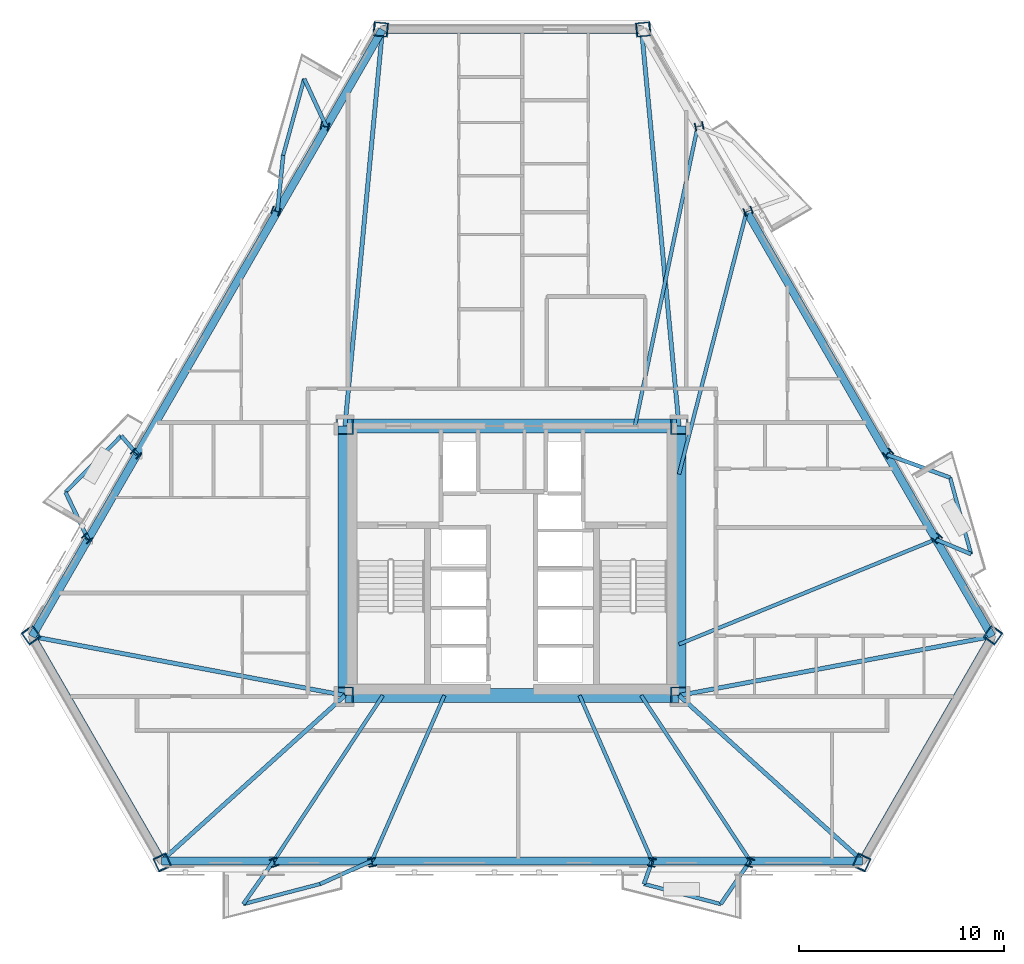
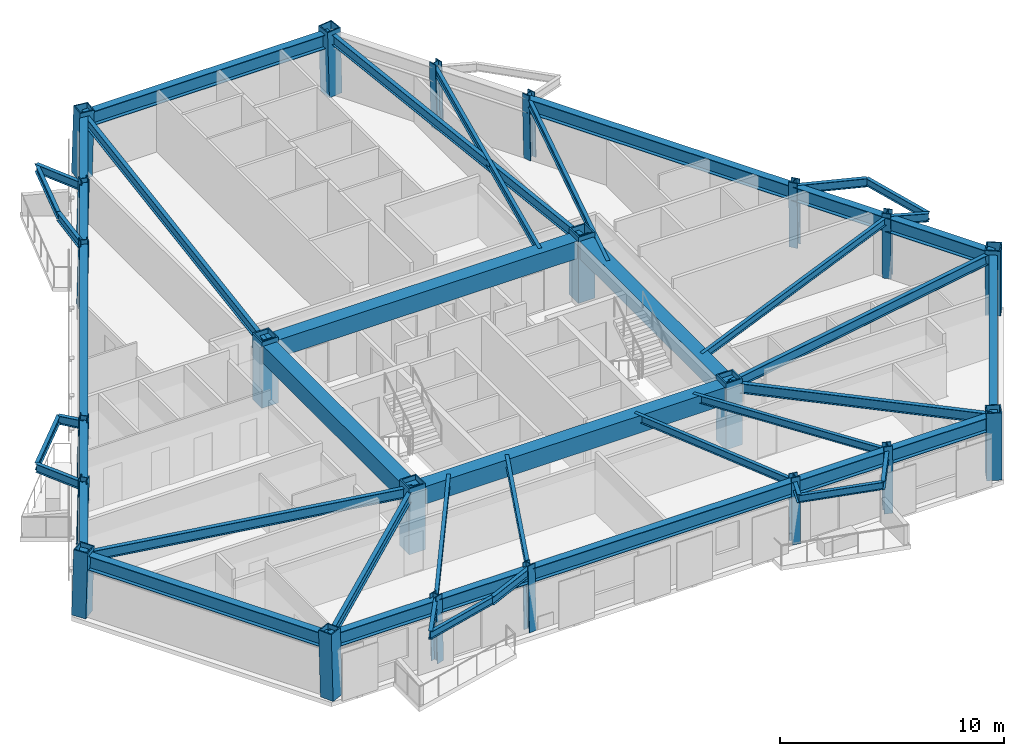
# One storey, part 1 of 11: 48 beams, 22 columns.
"""IFC4 building model written with IfcOpenShell, lengths in metres."""

from ifc_helpers import new_model, si_unit, direction, frame, origin, origin_2d, place, context, subcontext, project, spatial, rectangle, hollow_rectangle, i_section, extrude, material, material_profile, profile_set, type_object, element, save


model = new_model("IFC4")

# Units and contexts
model_context = context("Model", 3, precision=1e-05, world=origin(), true_north=direction((0.0, 1.0)))
body_context = subcontext(model_context, "Body", "Model", "MODEL_VIEW")
ifc_project = project(units=[si_unit("LENGTHUNIT", "METRE"), si_unit("AREAUNIT", "SQUARE_METRE"), si_unit("VOLUMEUNIT", "CUBIC_METRE"), si_unit("PLANEANGLEUNIT", "RADIAN"), si_unit("MASSUNIT", "GRAM", prefix="KILO")], contexts=[model_context])

# Site, building, storey
site_placement = place(None, origin())
site = spatial("IfcSite", under=ifc_project, at=site_placement, CompositionType="ELEMENT")
building_placement = place(site_placement, origin())
building = spatial("IfcBuilding", under=site, at=building_placement, Name="Oramaril Tower", CompositionType="ELEMENT")
storey_placement = place(building_placement, frame((0.0, 0.0, 82.5)))
storey = spatial("IfcBuildingStorey", under=building, at=storey_placement, Name="L21", CompositionType="ELEMENT", Elevation=82.5)

# Columns
ifc_material_1 = material(Name="Steel ASTM A572 Gr 50", Category="steel")
ifc_material_profile_1 = material_profile(ifc_material_1, hollow_rectangle(XDim=0.85009765625, YDim=0.85009765625, WallThickness=0.070068359375, at=origin_2d()), Name="BOX850X850X70")
ifc_profile_set_1 = profile_set([ifc_material_profile_1], Name="Steel ASTM A572 Gr 50")
column_type_1 = type_object("IfcColumnType", Name="CT-CC3", PredefinedType="COLUMN", material=ifc_profile_set_1)
for number, where, z_axis, x_axis, name in (
    (1, (29.35009765625, 11.0, 0.0), (0.0, 0.0, 1.0), (1.0, 0.0, 0.0), "L21 Core Column CC-1"),
    (2, (45.64990234375, 11.0, 0.0), (0.0, 0.0, 1.0), (1.0, 0.0, 0.0), "L21 Core Column CC-2"),
    (3, (45.64990234375, 24.14990234375, 0.0), (0.0, 0.0, 1.0), (1.0, 0.0, 0.0), "L21 Core Column CC-3"),
    (4, (29.35009765625, 24.14990234375, 0.0), (0.0, 0.0, 1.0), (1.0, 0.0, 0.0), "L21 Core Column CC-4"),
):
    element("IfcColumn", number, at=place(storey_placement, frame(where, z_axis=z_axis, x_axis=x_axis)), inside=storey, type_object=column_type_1, Name=name, PredefinedType="COLUMN", context=body_context, shape_type="SweptSolid", body=[
        extrude(hollow_rectangle(XDim=0.85009765625, YDim=0.85009765625, WallThickness=0.070068359375, at=origin_2d()), origin(), (0.0, 0.0, 1.0), 3.60009765625),
    ])
ifc_material_2 = material(Name="Steel ASTM A572 Gr 50", Category="steel")
ifc_material_profile_2 = material_profile(ifc_material_2, hollow_rectangle(XDim=0.699951171875, YDim=0.699951171875, WallThickness=0.054931640625, at=origin_2d()), Name="BOX700X700X55")
ifc_profile_set_2 = profile_set([ifc_material_profile_2], Name="Steel ASTM A572 Gr 50")
column_type_2 = type_object("IfcColumnType", Name="CT-TC4", PredefinedType="COLUMN", material=ifc_profile_set_2)
for number, where, z_axis, x_axis, name in (
    (5, (14.024658203125, 13.9609375, 0.00439453125), (0.016174283777, -0.022698364628, 0.999611512933), (0.814391947987, 0.580315220422, 0.0), "L21 Tube Column TC-01"),
    (6, (20.44580078125, 2.839111328125, 0.00439453125), (-0.011620994408, 0.025416677829, 0.999609396203), (-0.909448203092, -0.415817226547, 0.0), "L21 Tube Column TC-02"),
    (7, (54.55419921875, 2.839111328125, 0.00439453125), (0.011620994408, 0.025416677829, 0.999609396203), (-0.909448203092, 0.415817226547, 0.0), "L21 Tube Column TC-03"),
    (8, (60.975341796875, 13.9609375, 0.00439453125), (-0.016174283777, -0.022698364628, 0.999611512933), (0.814391947987, -0.580315220422, 0.0), "L21 Tube Column TC-04"),
    (9, (43.921142578125, 43.499755859375, 0.00439453125), (-0.027795269096, -0.002582445539, 0.999610301063), (0.092511107085, -0.995711652571, 0.0), "L21 Tube Column TC-05"),
    (10, (31.078857421875, 43.499755859375, 0.00439453125), (0.027795269096, -0.002582445539, 0.999610301063), (0.092511107085, 0.995711652571, 0.0), "L21 Tube Column TC-06"),
):
    element("IfcColumn", number, at=place(storey_placement, frame(where, z_axis=z_axis, x_axis=x_axis)), inside=storey, type_object=column_type_2, Name=name, PredefinedType="COLUMN", context=body_context, shape_type="SweptSolid", body=[
        extrude(hollow_rectangle(XDim=0.699951171875, YDim=0.699951171875, WallThickness=0.054931640625, at=origin_2d()), origin(), (0.0, 0.0, 1.0), 3.592529296875),
    ])
ifc_material_3 = material(Name="Steel ASTM A572 Gr 50", Category="steel")
ifc_material_profile_3 = material_profile(ifc_material_3, i_section(OverallWidth=0.404052734375, OverallDepth=0.406005859375, WebThickness=0.027099609375, FlangeThickness=0.043701171875, at=origin_2d()), Name="W14X233")
ifc_profile_set_3 = profile_set([ifc_material_profile_3], Name="Steel ASTM A572 Gr 50")
column_type_3 = type_object("IfcColumnType", Name="CT-TF3", PredefinedType="COLUMN", material=ifc_profile_set_3)
for number, where, z_axis, x_axis, name in (
    (11, (25.903076171875, 2.839111328125, 0.00439453125), (-0.007883535036, 0.025417604341, 0.999645834916), (-0.95511398019, -0.296238560701, 0.0), "L21 Tube Column TC-07"),
    (12, (30.67822265625, 2.839111328125, 0.00439453125), (-0.00462147687, 0.025418122787, 0.99966622479), (-0.9838699101, -0.1788854382, 0.0), "L21 Tube Column TC-08"),
    (13, (44.32177734375, 2.839111328125, 0.00439453125), (0.00462147687, 0.025418122787, 0.99966622479), (-0.9838699101, 0.1788854382, 0.0), "L21 Tube Column TC-09"),
    (14, (49.096923828125, 2.839111328125, 0.00439453125), (0.007883535036, 0.025417604341, 0.999645834916), (-0.95511398019, 0.296238560701, 0.0), "L21 Tube Column TC-10"),
    (15, (58.24658203125, 18.687255859375, 0.00439453125), (-0.018009830562, -0.019504986307, 0.999647538642), (0.734705291935, -0.678386419383, 0.0), "L21 Tube Column TC-11"),
    (16, (55.85888671875, 22.822509765625, 0.00439453125), (-0.019573383012, -0.016650968187, 0.999669759439), (0.647955446291, -0.761678238905, 0.0), "L21 Tube Column TC-12"),
    (17, (49.037353515625, 34.63818359375, 0.00439453125), (-0.024262805233, -0.008631306063, 0.999668353424), (0.335165857119, -0.942159141664, 0.0), "L21 Tube Column TC-13"),
    (18, (46.64990234375, 38.7734375, 0.00439453125), (-0.025961307385, -0.005776730701, 0.999646257384), (0.2172010113, -0.976126897842, 0.0), "L21 Tube Column TC-14"),
    (19, (28.35009765625, 38.7734375, 0.00439453125), (0.025961307385, -0.005776730701, 0.999646257384), (0.2172010113, 0.976126897842, 0.0), "L21 Tube Column TC-15"),
    (20, (25.962646484375, 34.63818359375, 0.00439453125), (0.024262805233, -0.008631306063, 0.999668353424), (0.335165857119, 0.942159141664, 0.0), "L21 Tube Column TC-16"),
    (21, (19.14111328125, 22.822509765625, 0.00439453125), (0.019573383012, -0.016650968187, 0.999669759439), (0.647955446291, 0.761678238905, 0.0), "L21 Tube Column TC-17"),
    (22, (16.75341796875, 18.687255859375, 0.00439453125), (0.018009830562, -0.019504986307, 0.999647538642), (0.734705291935, 0.678386419383, 0.0), "L21 Tube Column TC-18"),
):
    element("IfcColumn", number, at=place(storey_placement, frame(where, z_axis=z_axis, x_axis=x_axis)), inside=storey, type_object=column_type_3, Name=name, PredefinedType="COLUMN", context=body_context, shape_type="SweptSolid", body=[
        extrude(i_section(OverallWidth=0.404052734375, OverallDepth=0.406005859375, WebThickness=0.027099609375, FlangeThickness=0.043701171875, at=origin_2d()), origin(), (0.0, 0.0, 1.0), 3.59228515625),
    ])

# Beams
ifc_material_4 = material(Name="Steel ASTM A572 Gr 50", Category="steel")
ifc_material_profile_4 = material_profile(ifc_material_4, i_section(OverallWidth=0.19091796875, OverallDepth=0.45703125, WebThickness=0.009033203125, FlangeThickness=0.014404296875, at=origin_2d()), Name="W18X50")
ifc_profile_set_4 = profile_set([ifc_material_profile_4], Name="Steel ASTM A572 Gr 50")
beam_type_1 = type_object("IfcBeamType", Name="BT-BB1", PredefinedType="BEAM", material=ifc_profile_set_4)
beam_1_placement = place(storey_placement, frame((25.874755859375, 2.930419921875, 3.131591796875), z_axis=(-0.575507483466, -0.817796512878, 0.0), x_axis=(0.817796512878, -0.575507483466, 0.0)))
element("IfcBeam", 23, at=beam_1_placement, inside=storey, type_object=beam_type_1, Name="L21 Balcony Column-Framed Cantilever 01.1", PredefinedType="BEAM", context=body_context, shape_type="SweptSolid", body=[
    extrude(i_section(OverallWidth=0.19091796875, OverallDepth=0.45703125, WebThickness=0.009033203125, FlangeThickness=0.014404296875, at=origin_2d()), origin(), (0.0, 0.0, 1.0), 2.57763671875),
])
beam_2_placement = place(storey_placement, frame((30.66162109375, 2.930419921875, 3.131591796875), z_axis=(-0.913111483282, -0.40770996934, 0.0), x_axis=(0.40770996934, -0.913111483282, 0.0)))
element("IfcBeam", 24, at=beam_2_placement, inside=storey, type_object=beam_type_1, Name="L21 Balcony Column-Framed Cantilever 01.2", PredefinedType="BEAM", context=body_context, shape_type="SweptSolid", body=[
    extrude(i_section(OverallWidth=0.19091796875, OverallDepth=0.45703125, WebThickness=0.009033203125, FlangeThickness=0.014404296875, at=origin_2d()), origin(), (0.0, 0.0, 1.0), 2.7666015625),
])
beam_3_placement = place(storey_placement, frame((44.33837890625, 2.930419921875, 3.131591796875), z_axis=(-0.333257748572, -0.942835761422, 0.0), x_axis=(0.942835761422, -0.333257748572, 0.0)))
element("IfcBeam", 25, at=beam_3_placement, inside=storey, type_object=beam_type_1, Name="L21 Balcony Column-Framed Cantilever 02.1", PredefinedType="BEAM", context=body_context, shape_type="SweptSolid", body=[
    extrude(i_section(OverallWidth=0.19091796875, OverallDepth=0.45703125, WebThickness=0.009033203125, FlangeThickness=0.014404296875, at=origin_2d()), origin(), (0.0, 0.0, 1.0), 1.1962890625),
])
beam_4_placement = place(storey_placement, frame((49.125244140625, 2.930419921875, 3.131591796875), z_axis=(-0.564522826478, -0.825417457039, 0.0), x_axis=(0.825417457039, -0.564522826478, 0.0)))
element("IfcBeam", 26, at=beam_4_placement, inside=storey, type_object=beam_type_1, Name="L21 Balcony Column-Framed Cantilever 02.2", PredefinedType="BEAM", context=body_context, shape_type="SweptSolid", body=[
    extrude(i_section(OverallWidth=0.19091796875, OverallDepth=0.45703125, WebThickness=0.009033203125, FlangeThickness=0.014404296875, at=origin_2d()), origin(), (0.0, 0.0, 1.0), 2.5537109375),
])
beam_5_placement = place(storey_placement, frame((58.181884765625, 18.6171875, 3.131591796875), z_axis=(0.922186845619, -0.386744646721, 0.0), x_axis=(0.386744646721, 0.922186845619, 0.0)))
element("IfcBeam", 27, at=beam_5_placement, inside=storey, type_object=beam_type_1, Name="L21 Balcony Column-Framed Cantilever 03.1", PredefinedType="BEAM", context=body_context, shape_type="SweptSolid", body=[
    extrude(i_section(OverallWidth=0.19091796875, OverallDepth=0.45703125, WebThickness=0.009033203125, FlangeThickness=0.014404296875, at=origin_2d()), origin(), (0.0, 0.0, 1.0), 1.863525390625),
])
beam_6_placement = place(storey_placement, frame((55.78857421875, 22.7626953125, 3.131591796875), z_axis=(0.938749139237, -0.344601296547, 0.0), x_axis=(0.344601296547, 0.938749139237, 0.0)))
element("IfcBeam", 28, at=beam_6_placement, inside=storey, type_object=beam_type_1, Name="L21 Balcony Column-Framed Cantilever 03.2", PredefinedType="BEAM", context=body_context, shape_type="SweptSolid", body=[
    extrude(i_section(OverallWidth=0.19091796875, OverallDepth=0.45703125, WebThickness=0.009033203125, FlangeThickness=0.014404296875, at=origin_2d()), origin(), (0.0, 0.0, 1.0), 3.2900390625),
])
beam_7_placement = place(storey_placement, frame((28.443359375, 38.752685546875, 3.131591796875), z_axis=(-0.420535178614, 0.90727623332, 0.0), x_axis=(-0.90727623332, -0.420535178614, 0.0)))
element("IfcBeam", 29, at=beam_7_placement, inside=storey, type_object=beam_type_1, Name="L21 Balcony Column-Framed Cantilever 05.1", PredefinedType="BEAM", context=body_context, shape_type="SweptSolid", body=[
    extrude(i_section(OverallWidth=0.19091796875, OverallDepth=0.45703125, WebThickness=0.009033203125, FlangeThickness=0.014404296875, at=origin_2d()), origin(), (0.0, 0.0, 1.0), 2.57763671875),
])
beam_8_placement = place(storey_placement, frame((26.0498046875, 34.607177734375, 3.131591796875), z_axis=(0.103513328199, 0.994628066608, 0.0), x_axis=(-0.994628066608, 0.103513328199, 0.0)))
element("IfcBeam", 30, at=beam_8_placement, inside=storey, type_object=beam_type_1, Name="L21 Balcony Column-Framed Cantilever 05.2", PredefinedType="BEAM", context=body_context, shape_type="SweptSolid", body=[
    extrude(i_section(OverallWidth=0.19091796875, OverallDepth=0.45703125, WebThickness=0.009033203125, FlangeThickness=0.014404296875, at=origin_2d()), origin(), (0.0, 0.0, 1.0), 2.7666015625),
])
beam_9_placement = place(storey_placement, frame((19.21142578125, 22.7626953125, 3.131591796875), z_axis=(-0.649748819374, 0.760148979952, 0.0), x_axis=(-0.760148979952, -0.649748819374, 0.0)))
element("IfcBeam", 31, at=beam_9_placement, inside=storey, type_object=beam_type_1, Name="L21 Balcony Column-Framed Cantilever 06.1", PredefinedType="BEAM", context=body_context, shape_type="SweptSolid", body=[
    extrude(i_section(OverallWidth=0.19091796875, OverallDepth=0.45703125, WebThickness=0.009033203125, FlangeThickness=0.014404296875, at=origin_2d()), origin(), (0.0, 0.0, 1.0), 1.1962890625),
])
beam_10_placement = place(storey_placement, frame((16.818115234375, 18.6171875, 3.131591796875), z_axis=(-0.432584990774, 0.901593159777, 0.0), x_axis=(-0.901593159777, -0.432584990774, 0.0)))
element("IfcBeam", 32, at=beam_10_placement, inside=storey, type_object=beam_type_1, Name="L21 Balcony Column-Framed Cantilever 06.2", PredefinedType="BEAM", context=body_context, shape_type="SweptSolid", body=[
    extrude(i_section(OverallWidth=0.19091796875, OverallDepth=0.45703125, WebThickness=0.009033203125, FlangeThickness=0.014404296875, at=origin_2d()), origin(), (0.0, 0.0, 1.0), 2.5537109375),
])
ifc_material_5 = material(Name="Concrete C50/60", Category="concrete")
ifc_material_profile_5 = material_profile(ifc_material_5, rectangle(XDim=0.699951171875, YDim=0.949951171875, at=origin_2d()), Name="CB700X950")
ifc_profile_set_5 = profile_set([ifc_material_profile_5], Name="Concrete C50/60")
beam_type_2 = type_object("IfcBeamType", Name="BT-CB1", PredefinedType="BEAM", material=ifc_profile_set_5)
beam_11_placement = place(storey_placement, frame((29.35009765625, 11.0, 2.885009765625), z_axis=(1.0, 0.0, 0.0), x_axis=(0.0, 1.0, 0.0)))
element("IfcBeam", 33, at=beam_11_placement, inside=storey, type_object=beam_type_2, Name="L21 Core Header Beam CB-1", PredefinedType="BEAM", context=body_context, shape_type="SweptSolid", body=[
    extrude(rectangle(XDim=0.699951171875, YDim=0.949951171875, at=origin_2d()), origin(), (0.0, 0.0, 1.0), 16.2998046875),
])
beam_12_placement = place(storey_placement, frame((45.64990234375, 11.0, 2.885009765625), z_axis=(0.0, 1.0, 0.0), x_axis=(-1.0, 0.0, 0.0)))
element("IfcBeam", 34, at=beam_12_placement, inside=storey, type_object=beam_type_2, Name="L21 Core Header Beam CB-2", PredefinedType="BEAM", context=body_context, shape_type="SweptSolid", body=[
    extrude(rectangle(XDim=0.699951171875, YDim=0.949951171875, at=origin_2d()), origin(), (0.0, 0.0, 1.0), 13.14990234375),
])
beam_13_placement = place(storey_placement, frame((45.64990234375, 24.14990234375, 2.885009765625), z_axis=(-1.0, 0.0, 0.0), x_axis=(0.0, -1.0, 0.0)))
element("IfcBeam", 35, at=beam_13_placement, inside=storey, type_object=beam_type_2, Name="L21 Core Header Beam CB-3", PredefinedType="BEAM", context=body_context, shape_type="SweptSolid", body=[
    extrude(rectangle(XDim=0.699951171875, YDim=0.949951171875, at=origin_2d()), origin(), (0.0, 0.0, 1.0), 16.2998046875),
])
beam_14_placement = place(storey_placement, frame((29.35009765625, 24.14990234375, 2.885009765625), z_axis=(0.0, -1.0, 0.0), x_axis=(1.0, 0.0, 0.0)))
element("IfcBeam", 36, at=beam_14_placement, inside=storey, type_object=beam_type_2, Name="L21 Core Header Beam CB-4", PredefinedType="BEAM", context=body_context, shape_type="SweptSolid", body=[
    extrude(rectangle(XDim=0.699951171875, YDim=0.949951171875, at=origin_2d()), origin(), (0.0, 0.0, 1.0), 13.14990234375),
])
ifc_material_6 = material(Name="Steel ASTM A572 Gr 50", Category="steel")
ifc_material_profile_6 = material_profile(ifc_material_6, i_section(OverallWidth=0.2099609375, OverallDepth=0.535888671875, WebThickness=0.010986328125, FlangeThickness=0.017333984375, at=origin_2d()), Name="W21X68")
ifc_profile_set_6 = profile_set([ifc_material_profile_6], Name="Steel ASTM A572 Gr 50")
beam_type_3 = type_object("IfcBeamType", Name="BT-FB2", PredefinedType="BEAM", material=ifc_profile_set_6)
beam_15_placement = place(storey_placement, frame((29.35009765625, 11.0, 3.092041015625), z_axis=(-0.982676127745, 0.185331130577, 0.0), x_axis=(-0.185331130577, -0.982676127745, 0.0)))
element("IfcBeam", 37, at=beam_15_placement, inside=storey, type_object=beam_type_3, Name="L21 Radial Primary Beam RB-01", PredefinedType="BEAM", context=body_context, shape_type="SweptSolid", body=[
    extrude(i_section(OverallWidth=0.2099609375, OverallDepth=0.535888671875, WebThickness=0.010986328125, FlangeThickness=0.017333984375, at=origin_2d()), origin(), (0.0, 0.0, 1.0), 15.536376953125),
])
for number, where, z_axis, x_axis, name in (
    (38, (29.35009765625, 11.0, 3.092041015625), (-0.742545020972, -0.669796156924, 0.0), (0.669796156924, -0.742545020972, 0.0), "L21 Radial Primary Beam RB-02"),
    (39, (45.64990234375, 11.0, 3.092041015625), (0.742545020972, -0.669796156924, 0.0), (0.669796156924, 0.742545020972, 0.0), "L21 Radial Primary Beam RB-03"),
):
    element("IfcBeam", number, at=place(storey_placement, frame(where, z_axis=z_axis, x_axis=x_axis)), inside=storey, type_object=beam_type_3, Name=name, PredefinedType="BEAM", context=body_context, shape_type="SweptSolid", body=[
        extrude(i_section(OverallWidth=0.2099609375, OverallDepth=0.535888671875, WebThickness=0.010986328125, FlangeThickness=0.017333984375, at=origin_2d()), origin(), (0.0, 0.0, 1.0), 12.0478515625),
    ])
beam_16_placement = place(storey_placement, frame((45.64990234375, 11.0, 3.092041015625), z_axis=(0.982676127745, 0.185331130577, 0.0), x_axis=(-0.185331130577, 0.982676127745, 0.0)))
element("IfcBeam", 40, at=beam_16_placement, inside=storey, type_object=beam_type_3, Name="L21 Radial Primary Beam RB-04", PredefinedType="BEAM", context=body_context, shape_type="SweptSolid", body=[
    extrude(i_section(OverallWidth=0.2099609375, OverallDepth=0.535888671875, WebThickness=0.010986328125, FlangeThickness=0.017333984375, at=origin_2d()), origin(), (0.0, 0.0, 1.0), 15.536376953125),
])
for number, where, z_axis, x_axis, name in (
    (41, (45.64990234375, 24.14990234375, 3.092041015625), (-0.094128239505, 0.995560080823, 0.0), (-0.995560080823, -0.094128239505, 0.0), "L21 Radial Primary Beam RB-05"),
    (42, (29.35009765625, 24.14990234375, 3.092041015625), (0.094128239505, 0.995560080823, 0.0), (-0.995560080823, 0.094128239505, 0.0), "L21 Radial Primary Beam RB-06"),
):
    element("IfcBeam", number, at=place(storey_placement, frame(where, z_axis=z_axis, x_axis=x_axis)), inside=storey, type_object=beam_type_3, Name=name, PredefinedType="BEAM", context=body_context, shape_type="SweptSolid", body=[
        extrude(i_section(OverallWidth=0.2099609375, OverallDepth=0.535888671875, WebThickness=0.010986328125, FlangeThickness=0.017333984375, at=origin_2d()), origin(), (0.0, 0.0, 1.0), 19.4267578125),
    ])
ifc_material_7 = material(Name="Steel ASTM A572 Gr 50", Category="steel")
ifc_material_profile_7 = material_profile(ifc_material_7, i_section(OverallWidth=0.177978515625, OverallDepth=0.404052734375, WebThickness=0.007568359375, FlangeThickness=0.010986328125, at=origin_2d()), Name="W16X36")
ifc_profile_set_7 = profile_set([ifc_material_profile_7], Name="Steel ASTM A572 Gr 50")
beam_type_4 = type_object("IfcBeamType", Name="BT-SB1", PredefinedType="BEAM", material=ifc_profile_set_7)
beam_17_placement = place(storey_placement, frame((31.199951171875, 11.0, 3.157958984375), z_axis=(-0.550789790118, -0.834644000219, 0.0), x_axis=(0.834644000219, -0.550789790118, 0.0)))
element("IfcBeam", 43, at=beam_17_placement, inside=storey, type_object=beam_type_4, Name="L21 Secondary Floor Beam SB-01", PredefinedType="BEAM", context=body_context, shape_type="SweptSolid", body=[
    extrude(i_section(OverallWidth=0.177978515625, OverallDepth=0.404052734375, WebThickness=0.007568359375, FlangeThickness=0.010986328125, at=origin_2d()), origin(), (0.0, 0.0, 1.0), 9.668212890625),
])
for number, where, z_axis, x_axis, name in (
    (44, (34.199951171875, 11.0, 3.157958984375), (-0.401570172981, -0.915828256919, 0.0), (0.915828256919, -0.401570172981, 0.0), "L21 Secondary Floor Beam SB-02"),
    (45, (40.800048828125, 11.0, 3.157958984375), (0.401570172981, -0.915828256919, 0.0), (0.915828256919, 0.401570172981, 0.0), "L21 Secondary Floor Beam SB-03"),
):
    element("IfcBeam", number, at=place(storey_placement, frame(where, z_axis=z_axis, x_axis=x_axis)), inside=storey, type_object=beam_type_4, Name=name, PredefinedType="BEAM", context=body_context, shape_type="SweptSolid", body=[
        extrude(i_section(OverallWidth=0.177978515625, OverallDepth=0.404052734375, WebThickness=0.007568359375, FlangeThickness=0.010986328125, at=origin_2d()), origin(), (0.0, 0.0, 1.0), 8.811279296875),
    ])
beam_18_placement = place(storey_placement, frame((43.800048828125, 11.0, 3.157958984375), z_axis=(0.550789790118, -0.834644000219, 0.0), x_axis=(0.834644000219, 0.550789790118, 0.0)))
element("IfcBeam", 46, at=beam_18_placement, inside=storey, type_object=beam_type_4, Name="L21 Secondary Floor Beam SB-04", PredefinedType="BEAM", context=body_context, shape_type="SweptSolid", body=[
    extrude(i_section(OverallWidth=0.177978515625, OverallDepth=0.404052734375, WebThickness=0.007568359375, FlangeThickness=0.010986328125, at=origin_2d()), origin(), (0.0, 0.0, 1.0), 9.668212890625),
])
beam_19_placement = place(storey_placement, frame((45.64990234375, 13.5, 3.157958984375), z_axis=(0.925793546252, 0.378029509058, 0.0), x_axis=(-0.378029509058, 0.925793546252, 0.0)))
element("IfcBeam", 47, at=beam_19_placement, inside=storey, type_object=beam_type_4, Name="L21 Secondary Floor Beam SB-05", PredefinedType="BEAM", context=body_context, shape_type="SweptSolid", body=[
    extrude(i_section(OverallWidth=0.177978515625, OverallDepth=0.404052734375, WebThickness=0.007568359375, FlangeThickness=0.010986328125, at=origin_2d()), origin(), (0.0, 0.0, 1.0), 13.536376953125),
])
beam_20_placement = place(storey_placement, frame((45.64990234375, 21.800048828125, 3.157958984375), z_axis=(0.249539676021, 0.968364574988, 0.0), x_axis=(-0.968364574988, 0.249539676021, 0.0)))
element("IfcBeam", 48, at=beam_20_placement, inside=storey, type_object=beam_type_4, Name="L21 Secondary Floor Beam SB-06", PredefinedType="BEAM", context=body_context, shape_type="SweptSolid", body=[
    extrude(i_section(OverallWidth=0.177978515625, OverallDepth=0.404052734375, WebThickness=0.007568359375, FlangeThickness=0.010986328125, at=origin_2d()), origin(), (0.0, 0.0, 1.0), 13.2255859375),
])
beam_21_placement = place(storey_placement, frame((43.5, 24.14990234375, 3.157958984375), z_axis=(0.204878831436, 0.978787343824, 0.0), x_axis=(-0.978787343824, 0.204878831436, 0.0)))
element("IfcBeam", 49, at=beam_21_placement, inside=storey, type_object=beam_type_4, Name="L21 Secondary Floor Beam SB-07", PredefinedType="BEAM", context=body_context, shape_type="SweptSolid", body=[
    extrude(i_section(OverallWidth=0.177978515625, OverallDepth=0.404052734375, WebThickness=0.007568359375, FlangeThickness=0.010986328125, at=origin_2d()), origin(), (0.0, 0.0, 1.0), 14.919189453125),
])
beam_22_placement = place(storey_placement, frame((24.391357421875, 0.822509765625, 3.157958984375), z_axis=(0.967411967632, 0.253207592467, 0.0), x_axis=(-0.253207592467, 0.967411967632, 0.0)))
element("IfcBeam", 50, at=beam_22_placement, inside=storey, type_object=beam_type_4, Name="L21 Balcony Edge Tie Beam 01", PredefinedType="BEAM", context=body_context, shape_type="SweptSolid", body=[
    extrude(i_section(OverallWidth=0.177978515625, OverallDepth=0.404052734375, WebThickness=0.007568359375, FlangeThickness=0.010986328125, at=origin_2d()), origin(), (0.0, 0.0, 1.0), 3.870361328125),
])
for number, where, z_axis, x_axis, name in (
    (51, (43.939697265625, 1.802490234375, 3.157958984375), (0.967407922874, -0.253223045479, 0.0), (0.253223045479, 0.967407922874, 0.0), "L21 Balcony Edge Tie Beam 02"),
    (52, (59.900390625, 17.896484375, 3.157958984375), (-0.264382243015, 0.964417974521, 0.0), (-0.964417974521, -0.264382243015, 0.0), "L21 Balcony Edge Tie Beam 03"),
    (53, (27.359375, 41.09130859375, 3.157958984375), (-0.264382243015, -0.964417974521, 0.0), (0.964417974521, -0.264382243015, 0.0), "L21 Balcony Edge Tie Beam 05"),
    (54, (18.43408203125, 23.672119140625, 3.157958984375), (-0.702994511648, -0.71119527318, 0.0), (0.71119527318, -0.702994511648, 0.0), "L21 Balcony Edge Tie Beam 06"),
):
    element("IfcBeam", number, at=place(storey_placement, frame(where, z_axis=z_axis, x_axis=x_axis)), inside=storey, type_object=beam_type_4, Name=name, PredefinedType="BEAM", context=body_context, shape_type="SweptSolid", body=[
        extrude(i_section(OverallWidth=0.177978515625, OverallDepth=0.404052734375, WebThickness=0.007568359375, FlangeThickness=0.010986328125, at=origin_2d()), origin(), (0.0, 0.0, 1.0), 3.8701171875),
    ])
ifc_material_8 = material(Name="Steel ASTM A572 Gr 50", Category="steel")
ifc_material_profile_8 = material_profile(ifc_material_8, i_section(OverallWidth=0.381103515625, OverallDepth=0.77197265625, WebThickness=0.0166015625, FlangeThickness=0.027099609375, at=origin_2d()), Name="W30X173")
ifc_profile_set_8 = profile_set([ifc_material_profile_8], Name="Steel ASTM A572 Gr 50")
beam_type_5 = type_object("IfcBeamType", Name="BT-SP2", PredefinedType="SPANDREL", material=ifc_profile_set_8)
beam_23_placement = place(storey_placement, frame((14.082763671875, 13.87939453125, 2.97412109375), z_axis=(0.499993808156, -0.866028978618, 0.0), x_axis=(0.866028978618, 0.499993808156, 0.0)))
element("IfcBeam", 55, at=beam_23_placement, inside=storey, type_object=beam_type_5, Name="L21 Perimeter Spandrel 01", PredefinedType="SPANDREL", context=body_context, shape_type="SweptSolid", body=[
    extrude(i_section(OverallWidth=0.381103515625, OverallDepth=0.77197265625, WebThickness=0.0166015625, FlangeThickness=0.027099609375, at=origin_2d()), origin(), (0.0, 0.0, 1.0), 12.642822265625),
])
beam_24_placement = place(storey_placement, frame((20.404052734375, 2.930419921875, 2.97412109375), z_axis=(1.0, 0.0, 0.0), x_axis=(0.0, 1.0, 0.0)))
element("IfcBeam", 56, at=beam_24_placement, inside=storey, type_object=beam_type_5, Name="L21 Perimeter Spandrel 02", PredefinedType="SPANDREL", context=body_context, shape_type="SweptSolid", body=[
    extrude(i_section(OverallWidth=0.381103515625, OverallDepth=0.77197265625, WebThickness=0.0166015625, FlangeThickness=0.027099609375, at=origin_2d()), origin(), (0.0, 0.0, 1.0), 5.470703125),
])
beam_25_placement = place(storey_placement, frame((25.874755859375, 2.930419921875, 2.97412109375), z_axis=(1.0, 0.0, 0.0), x_axis=(0.0, 1.0, 0.0)))
element("IfcBeam", 57, at=beam_25_placement, inside=storey, type_object=beam_type_5, Name="L21 Perimeter Spandrel 03", PredefinedType="SPANDREL", context=body_context, shape_type="SweptSolid", body=[
    extrude(i_section(OverallWidth=0.381103515625, OverallDepth=0.77197265625, WebThickness=0.0166015625, FlangeThickness=0.027099609375, at=origin_2d()), origin(), (0.0, 0.0, 1.0), 4.786865234375),
])
beam_26_placement = place(storey_placement, frame((30.66162109375, 2.930419921875, 2.97412109375), z_axis=(1.0, 0.0, 0.0), x_axis=(0.0, 1.0, 0.0)))
element("IfcBeam", 58, at=beam_26_placement, inside=storey, type_object=beam_type_5, Name="L21 Perimeter Spandrel 04", PredefinedType="SPANDREL", context=body_context, shape_type="SweptSolid", body=[
    extrude(i_section(OverallWidth=0.381103515625, OverallDepth=0.77197265625, WebThickness=0.0166015625, FlangeThickness=0.027099609375, at=origin_2d()), origin(), (0.0, 0.0, 1.0), 13.6767578125),
])
beam_27_placement = place(storey_placement, frame((44.33837890625, 2.930419921875, 2.97412109375), z_axis=(1.0, 0.0, 0.0), x_axis=(0.0, 1.0, 0.0)))
element("IfcBeam", 59, at=beam_27_placement, inside=storey, type_object=beam_type_5, Name="L21 Perimeter Spandrel 05", PredefinedType="SPANDREL", context=body_context, shape_type="SweptSolid", body=[
    extrude(i_section(OverallWidth=0.381103515625, OverallDepth=0.77197265625, WebThickness=0.0166015625, FlangeThickness=0.027099609375, at=origin_2d()), origin(), (0.0, 0.0, 1.0), 4.786865234375),
])
beam_28_placement = place(storey_placement, frame((49.125244140625, 2.930419921875, 2.97412109375), z_axis=(1.0, 0.0, 0.0), x_axis=(0.0, 1.0, 0.0)))
element("IfcBeam", 60, at=beam_28_placement, inside=storey, type_object=beam_type_5, Name="L21 Perimeter Spandrel 06", PredefinedType="SPANDREL", context=body_context, shape_type="SweptSolid", body=[
    extrude(i_section(OverallWidth=0.381103515625, OverallDepth=0.77197265625, WebThickness=0.0166015625, FlangeThickness=0.027099609375, at=origin_2d()), origin(), (0.0, 0.0, 1.0), 5.470703125),
])
beam_29_placement = place(storey_placement, frame((54.595947265625, 2.930419921875, 2.97412109375), z_axis=(0.499993808156, 0.866028978618, 0.0), x_axis=(-0.866028978618, 0.499993808156, 0.0)))
element("IfcBeam", 61, at=beam_29_placement, inside=storey, type_object=beam_type_5, Name="L21 Perimeter Spandrel 07", PredefinedType="SPANDREL", context=body_context, shape_type="SweptSolid", body=[
    extrude(i_section(OverallWidth=0.381103515625, OverallDepth=0.77197265625, WebThickness=0.0166015625, FlangeThickness=0.027099609375, at=origin_2d()), origin(), (0.0, 0.0, 1.0), 12.642822265625),
])
beam_30_placement = place(storey_placement, frame((60.917236328125, 13.87939453125, 2.97412109375), z_axis=(-0.499998014425, 0.866026550154, 0.0), x_axis=(-0.866026550154, -0.499998014425, 0.0)))
element("IfcBeam", 62, at=beam_30_placement, inside=storey, type_object=beam_type_5, Name="L21 Perimeter Spandrel 08", PredefinedType="SPANDREL", context=body_context, shape_type="SweptSolid", body=[
    extrude(i_section(OverallWidth=0.381103515625, OverallDepth=0.77197265625, WebThickness=0.0166015625, FlangeThickness=0.027099609375, at=origin_2d()), origin(), (0.0, 0.0, 1.0), 5.470703125),
])
beam_31_placement = place(storey_placement, frame((58.181884765625, 18.6171875, 2.97412109375), z_axis=(-0.499984409355, 0.86603440486, 0.0), x_axis=(-0.86603440486, -0.499984409355, 0.0)))
element("IfcBeam", 63, at=beam_31_placement, inside=storey, type_object=beam_type_5, Name="L21 Perimeter Spandrel 09", PredefinedType="SPANDREL", context=body_context, shape_type="SweptSolid", body=[
    extrude(i_section(OverallWidth=0.381103515625, OverallDepth=0.77197265625, WebThickness=0.0166015625, FlangeThickness=0.027099609375, at=origin_2d()), origin(), (0.0, 0.0, 1.0), 4.786865234375),
])
beam_32_placement = place(storey_placement, frame((55.78857421875, 22.7626953125, 2.97412109375), z_axis=(-0.499998014425, 0.866026550154, 0.0), x_axis=(-0.866026550154, -0.499998014425, 0.0)))
element("IfcBeam", 64, at=beam_32_placement, inside=storey, type_object=beam_type_5, Name="L21 Perimeter Spandrel 10", PredefinedType="SPANDREL", context=body_context, shape_type="SweptSolid", body=[
    extrude(i_section(OverallWidth=0.381103515625, OverallDepth=0.77197265625, WebThickness=0.0166015625, FlangeThickness=0.027099609375, at=origin_2d()), origin(), (0.0, 0.0, 1.0), 13.6767578125),
])
beam_33_placement = place(storey_placement, frame((43.8212890625, 43.490478515625, 2.97412109375), z_axis=(-1.0, 0.0, 0.0), x_axis=(0.0, -1.0, 0.0)))
element("IfcBeam", 65, at=beam_33_placement, inside=storey, type_object=beam_type_5, Name="L21 Perimeter Spandrel 13", PredefinedType="SPANDREL", context=body_context, shape_type="SweptSolid", body=[
    extrude(i_section(OverallWidth=0.381103515625, OverallDepth=0.77197265625, WebThickness=0.0166015625, FlangeThickness=0.027099609375, at=origin_2d()), origin(), (0.0, 0.0, 1.0), 12.642578125),
])
beam_34_placement = place(storey_placement, frame((31.1787109375, 43.490478515625, 2.97412109375), z_axis=(-0.499998014425, -0.866026550154, 0.0), x_axis=(0.866026550154, -0.499998014425, 0.0)))
element("IfcBeam", 66, at=beam_34_placement, inside=storey, type_object=beam_type_5, Name="L21 Perimeter Spandrel 14", PredefinedType="SPANDREL", context=body_context, shape_type="SweptSolid", body=[
    extrude(i_section(OverallWidth=0.381103515625, OverallDepth=0.77197265625, WebThickness=0.0166015625, FlangeThickness=0.027099609375, at=origin_2d()), origin(), (0.0, 0.0, 1.0), 5.470703125),
])
beam_35_placement = place(storey_placement, frame((28.443359375, 38.752685546875, 2.97412109375), z_axis=(-0.50002266109, -0.866012320003, 0.0), x_axis=(0.866012320003, -0.50002266109, 0.0)))
element("IfcBeam", 67, at=beam_35_placement, inside=storey, type_object=beam_type_5, Name="L21 Perimeter Spandrel 15", PredefinedType="SPANDREL", context=body_context, shape_type="SweptSolid", body=[
    extrude(i_section(OverallWidth=0.381103515625, OverallDepth=0.77197265625, WebThickness=0.0166015625, FlangeThickness=0.027099609375, at=origin_2d()), origin(), (0.0, 0.0, 1.0), 4.786865234375),
])
beam_36_placement = place(storey_placement, frame((26.0498046875, 34.607177734375, 2.97412109375), z_axis=(-0.499998014425, -0.866026550154, 0.0), x_axis=(0.866026550154, -0.499998014425, 0.0)))
element("IfcBeam", 68, at=beam_36_placement, inside=storey, type_object=beam_type_5, Name="L21 Perimeter Spandrel 16", PredefinedType="SPANDREL", context=body_context, shape_type="SweptSolid", body=[
    extrude(i_section(OverallWidth=0.381103515625, OverallDepth=0.77197265625, WebThickness=0.0166015625, FlangeThickness=0.027099609375, at=origin_2d()), origin(), (0.0, 0.0, 1.0), 13.6767578125),
])
beam_37_placement = place(storey_placement, frame((19.21142578125, 22.7626953125, 2.97412109375), z_axis=(-0.499984409355, -0.86603440486, 0.0), x_axis=(0.86603440486, -0.499984409355, 0.0)))
element("IfcBeam", 69, at=beam_37_placement, inside=storey, type_object=beam_type_5, Name="L21 Perimeter Spandrel 17", PredefinedType="SPANDREL", context=body_context, shape_type="SweptSolid", body=[
    extrude(i_section(OverallWidth=0.381103515625, OverallDepth=0.77197265625, WebThickness=0.0166015625, FlangeThickness=0.027099609375, at=origin_2d()), origin(), (0.0, 0.0, 1.0), 4.786865234375),
])
beam_38_placement = place(storey_placement, frame((16.818115234375, 18.6171875, 2.97412109375), z_axis=(-0.499998014425, -0.866026550154, 0.0), x_axis=(0.866026550154, -0.499998014425, 0.0)))
element("IfcBeam", 70, at=beam_38_placement, inside=storey, type_object=beam_type_5, Name="L21 Perimeter Spandrel 18", PredefinedType="SPANDREL", context=body_context, shape_type="SweptSolid", body=[
    extrude(i_section(OverallWidth=0.381103515625, OverallDepth=0.77197265625, WebThickness=0.0166015625, FlangeThickness=0.027099609375, at=origin_2d()), origin(), (0.0, 0.0, 1.0), 5.470703125),
])

save(model, "model.ifc")
